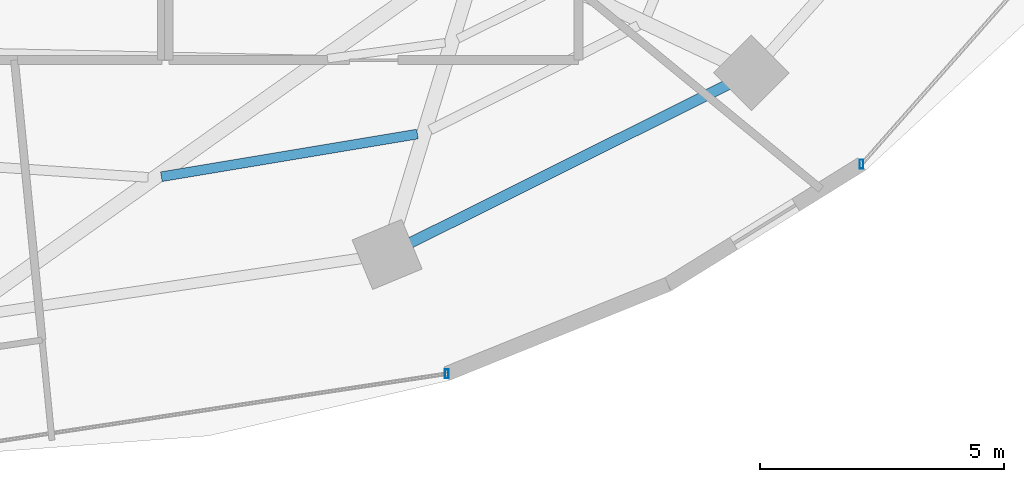
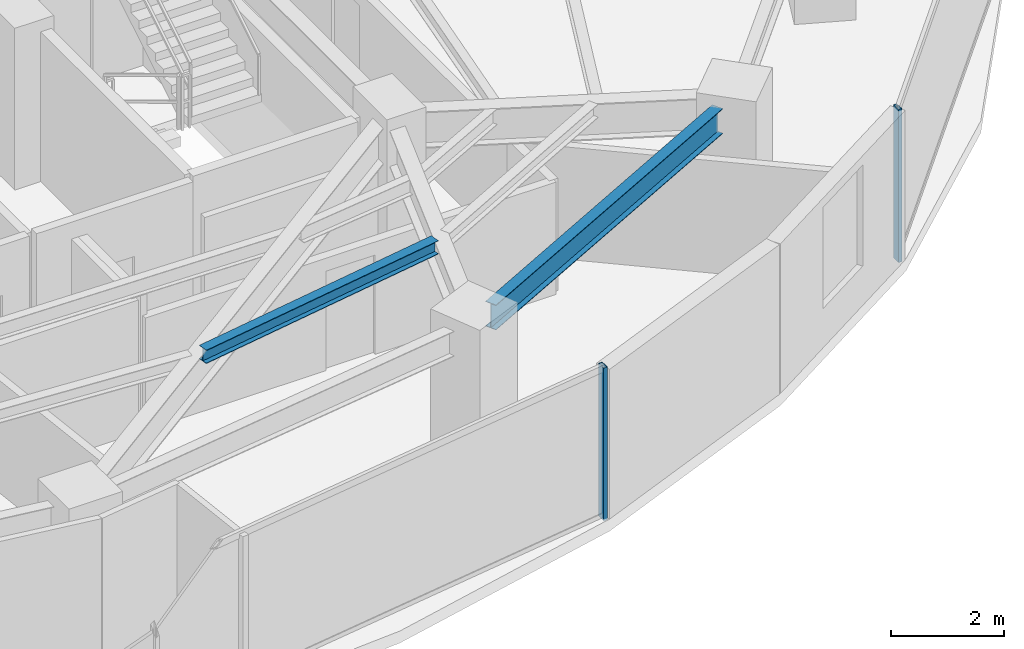
# One storey, part 11 of 29: 2 beams, 2 members, 2 elements without a shape of their own.
"""IFC4 building model written with IfcOpenShell, lengths in metres."""

from ifc_helpers import new_model, si_unit, direction, frame, origin, origin_2d, place, context, subcontext, project, spatial, hollow_rectangle, i_section, extrude, material, material_profile, profile_set, type_object, element, aggregate, save


model = new_model("IFC4")

# Units and contexts
model_context = context("Model", 3, precision=1e-05, world=origin(), true_north=direction((0.0, 1.0)))
body_context = subcontext(model_context, "Body", "Model", "MODEL_VIEW")
ifc_project = project(units=[si_unit("LENGTHUNIT", "METRE"), si_unit("AREAUNIT", "SQUARE_METRE"), si_unit("VOLUMEUNIT", "CUBIC_METRE"), si_unit("PLANEANGLEUNIT", "RADIAN"), si_unit("MASSUNIT", "GRAM", prefix="KILO")], contexts=[model_context])

# Site, building, storey
site_placement = place(None, origin())
site = spatial("IfcSite", under=ifc_project, at=site_placement, CompositionType="ELEMENT")
building_placement = place(site_placement, origin())
building = spatial("IfcBuilding", under=site, at=building_placement, Name="Vorneva Point Tower", CompositionType="ELEMENT")
storey_placement = place(building_placement, frame((0.0, 0.0, 117.300048828125)))
storey = spatial("IfcBuildingStorey", under=building, at=storey_placement, Name="L31", CompositionType="ELEMENT", Elevation=117.300048828125)

# Beams
ifc_material_1 = material(Name="Steel S355", Category="steel")
ifc_material_profile_1 = material_profile(ifc_material_1, i_section(OverallWidth=0.199951171875, OverallDepth=0.291015625, WebThickness=0.008056640625, FlangeThickness=0.010986328125, at=origin_2d()), Name="30Sh1")
ifc_profile_set_1 = profile_set([ifc_material_profile_1], Name="Steel S355")
beam_type_1 = type_object("IfcBeamType", Name="BM-SEC-30Sh1", PredefinedType="BEAM", material=ifc_profile_set_1)
beam_1_placement = place(storey_placement, frame((42.18701171875, 11.705322265625, 3.094482421875), z_axis=(0.986391447478, 0.164413844743, 0.0), x_axis=(-0.164413844743, 0.986391447478, 0.0)))
element("IfcBeam", 1, at=beam_1_placement, inside=storey, type_object=beam_type_1, Name="L31 Secondary Floor Beam 1.13", PredefinedType="BEAM", context=body_context, shape_type="SweptSolid", body=[
    extrude(i_section(OverallWidth=0.199951171875, OverallDepth=0.291015625, WebThickness=0.008056640625, FlangeThickness=0.010986328125, at=origin_2d()), origin(), (0.0, 0.0, 1.0), 5.329345703125),
])
ifc_material_profile_2 = material_profile(ifc_material_1, i_section(OverallWidth=0.219970703125, OverallDepth=0.54296875, WebThickness=0.009521484375, FlangeThickness=0.013427734375, at=origin_2d()), Name="55B1")
ifc_profile_set_2 = profile_set([ifc_material_profile_2], Name="Steel S355")
beam_type_2 = type_object("IfcBeamType", Name="BM-SPN-55B1", PredefinedType="SPANDREL", material=ifc_profile_set_2)
beam_2_placement = place(storey_placement, frame((47.2998046875, 10.347900390625, 2.968505859375), z_axis=(0.894915882304, 0.446234874926, 0.0), x_axis=(-0.446234874926, 0.894915882304, 0.0)))
element("IfcBeam", 2, at=beam_2_placement, inside=storey, type_object=beam_type_2, Name="L31 Perimeter Spandrel Ring Beam 14", PredefinedType="SPANDREL", context=body_context, shape_type="SweptSolid", body=[
    extrude(i_section(OverallWidth=0.219970703125, OverallDepth=0.54296875, WebThickness=0.009521484375, FlangeThickness=0.013427734375, at=origin_2d()), origin(), (0.0, 0.0, 1.0), 7.285888671875),
])

# Curtain wall, member
ifc_material_2 = material(Name="Pale anodised aluminium", Category="aluminium")
curtain_wall_type = type_object("IfcCurtainWallType", Name="CW-HTL-SYS", PredefinedType="NOTDEFINED", material=ifc_material_2)
curtain_wall_1_placement = place(storey_placement, origin())
curtain_wall_1 = element("IfcCurtainWall", 3, at=curtain_wall_1_placement, inside=storey, type_object=curtain_wall_type, Name="L31 Unitised Curtain Wall CW-L31-R03", PredefinedType="NOTDEFINED")
ifc_material_profile_3 = material_profile(ifc_material_2, hollow_rectangle(XDim=0.074951171875, YDim=0.179931640625, WallThickness=0.00390625, at=origin_2d()), Name="AL-MUL 180x75x4")
ifc_profile_set_3 = profile_set([ifc_material_profile_3], Name="Pale anodised aluminium")
member_type = type_object("IfcMemberType", Name="CW-MUL-180", PredefinedType="MULLION", material=ifc_profile_set_3)
member_1_placement = place(storey_placement, frame((48.04541015625, 7.660888671875, -0.0400390625), z_axis=(0.0, 0.0, 1.0), x_axis=(1.0, 0.0, 0.0)))
member_1 = element("IfcMember", 4, at=member_1_placement, type_object=member_type, Name="CW-L31-R03 Mullion 04", PredefinedType="MULLION", context=body_context, shape_type="SweptSolid", body=[
    extrude(hollow_rectangle(XDim=0.074951171875, YDim=0.179931640625, WallThickness=0.00390625, at=origin_2d()), origin(), (0.0, 0.0, 1.0), 3.31005859375),
])
aggregate(curtain_wall_1, [member_1])

curtain_wall_2_placement = place(storey_placement, origin())
curtain_wall_2 = element("IfcCurtainWall", 5, at=curtain_wall_2_placement, inside=storey, type_object=curtain_wall_type, Name="L31 Unitised Curtain Wall CW-L31-R04", PredefinedType="NOTDEFINED")
member_2_placement = place(storey_placement, frame((56.5615234375, 11.9638671875, -0.0400390625), z_axis=(0.0, 0.0, 1.0), x_axis=(1.0, 0.0, 0.0)))
member_2 = element("IfcMember", 6, at=member_2_placement, type_object=member_type, Name="CW-L31-R04 Mullion 01", PredefinedType="MULLION", context=body_context, shape_type="SweptSolid", body=[
    extrude(hollow_rectangle(XDim=0.074951171875, YDim=0.179931640625, WallThickness=0.00390625, at=origin_2d()), origin(), (0.0, 0.0, 1.0), 3.31005859375),
])
aggregate(curtain_wall_2, [member_2])

save(model, "model.ifc")
